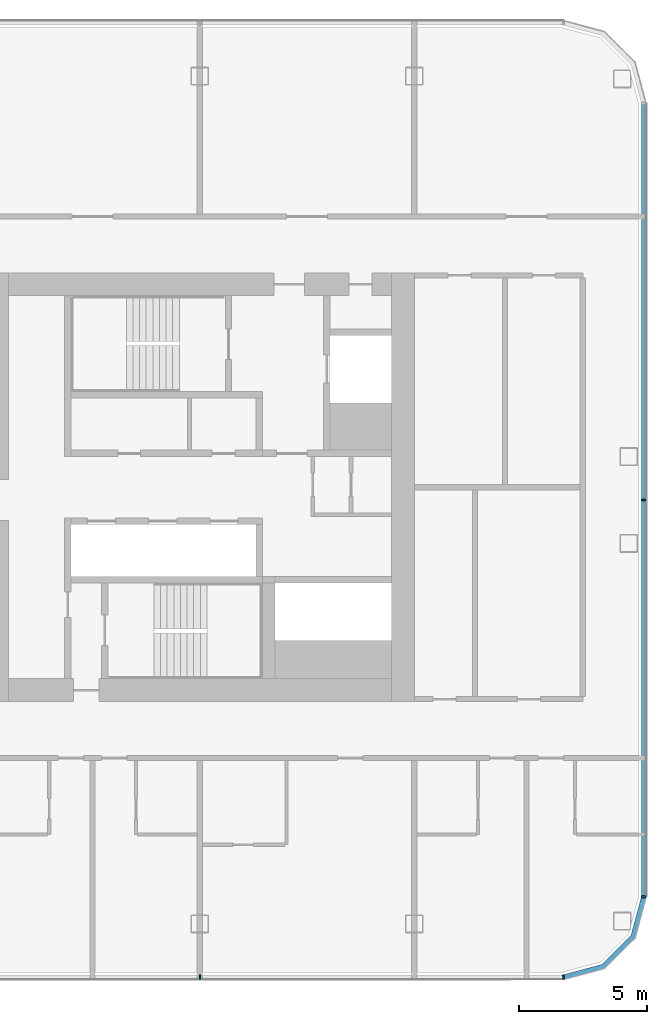
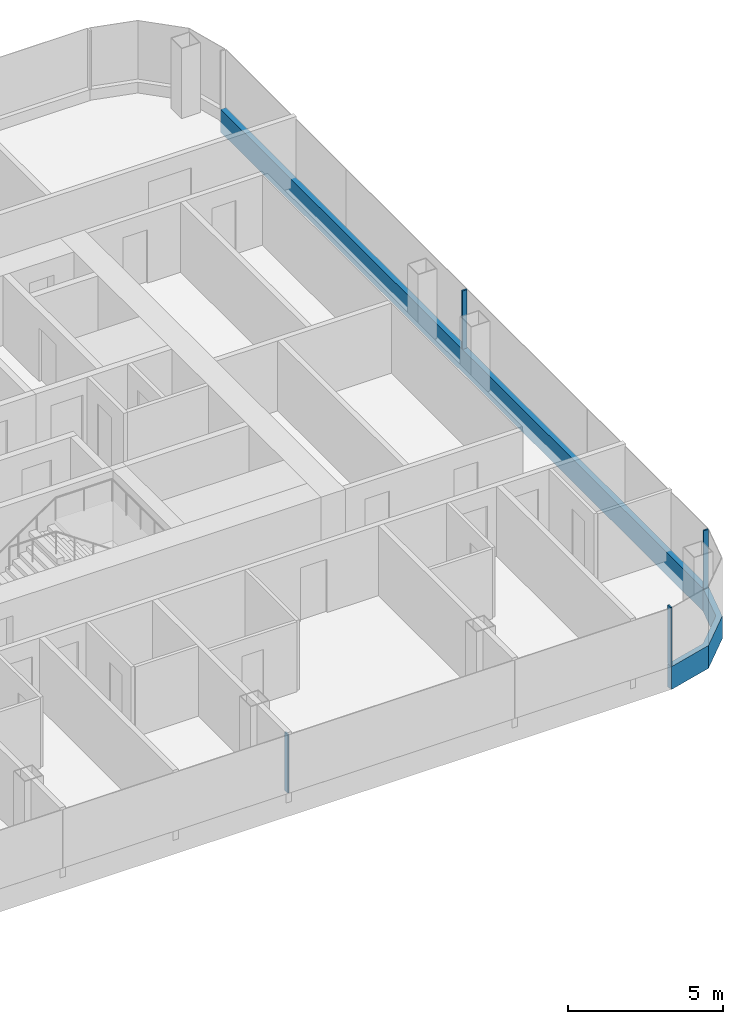
# One storey, part 9 of 26: 6 members, 3 elements without a shape of their own.
"""IFC4 building model written with IfcOpenShell, lengths in metres."""

from ifc_helpers import new_model, si_unit, direction, frame, origin, origin_2d, place, context, subcontext, project, spatial, polyline, rectangle, outline, extrude, material, layer, layer_set, material_profile, profile_set, type_object, element, aggregate, save


model = new_model("IFC4")

# Units and contexts
model_context = context("Model", 3, precision=1e-05, world=origin(), true_north=direction((0.0, 1.0)))
body_context = subcontext(model_context, "Body", "Model", "MODEL_VIEW")
ifc_project = project(units=[si_unit("LENGTHUNIT", "METRE"), si_unit("AREAUNIT", "SQUARE_METRE"), si_unit("VOLUMEUNIT", "CUBIC_METRE"), si_unit("PLANEANGLEUNIT", "RADIAN"), si_unit("MASSUNIT", "GRAM", prefix="KILO")], contexts=[model_context])

# Site, building, storey
site_placement = place(None, origin())
site = spatial("IfcSite", under=ifc_project, at=site_placement, CompositionType="ELEMENT")
building_placement = place(site_placement, origin())
building = spatial("IfcBuilding", under=site, at=building_placement, Name="Hakoniwa Tower and Hamabe Station Hall", CompositionType="ELEMENT")
storey_placement = place(building_placement, frame((0.0, 0.0, 156.60009765625)))
storey = spatial("IfcBuildingStorey", under=building, at=storey_placement, Name="L44", CompositionType="ELEMENT", Elevation=156.60009765625)

# Curtain wall, member
ifc_material_1 = material(Name="Dark low-e laminated glass", Category="glass")
ifc_layer = layer(ifc_material_1, 0.199951171875)
ifc_layer_set = layer_set([ifc_layer], Name="CW-1 UNITISED GUEST")
curtain_wall_type = type_object("IfcCurtainWallType", Name="CW-1 UNITISED GUEST", PredefinedType="NOTDEFINED", material=ifc_layer_set)
curtain_wall_1_placement = place(storey_placement, origin())
curtain_wall_1 = element("IfcCurtainWall", 1, at=curtain_wall_1_placement, inside=storey, type_object=curtain_wall_type, Name="CW-1 curtain wall", PredefinedType="NOTDEFINED")
ifc_material_2 = material(Name="Aluminium 6063-T5 black anodised", Category="aluminium")
ifc_material_profile_1 = material_profile(ifc_material_2, rectangle(XDim=0.199951171875, YDim=0.89990234375, at=origin_2d()), Name="CW SLAB-EDGE BAND 900X200")
ifc_profile_set_1 = profile_set([ifc_material_profile_1], Name="Aluminium 6063-T5 black anodised")
member_type_1 = type_object("IfcMemberType", Name="CW SLAB-EDGE BAND 900X200", PredefinedType="USERDEFINED", material=ifc_profile_set_1)
member_1_placement = place(storey_placement, frame((42.60009765625, -16.03955078125, -0.10009765625), z_axis=(0.0, 1.0, 0.0), x_axis=(-1.0, 0.0, 0.0)))
member_1 = element("IfcMember", 2, at=member_1_placement, type_object=member_type_1, Name="CW-1 transom", ObjectType="TRANSOM", PredefinedType="USERDEFINED", context=body_context, shape_type="SweptSolid", body=[
    extrude(rectangle(XDim=0.199951171875, YDim=0.89990234375, at=origin_2d()), origin(), (0.0, 0.0, 1.0), 31.0791015625),
])

curtain_wall_2_placement = place(storey_placement, origin())
curtain_wall_2 = element("IfcCurtainWall", 3, at=curtain_wall_2_placement, inside=storey, type_object=curtain_wall_type, Name="CW-1 curtain wall", PredefinedType="NOTDEFINED")
member_2_placement = place(storey_placement, frame((0.0, 0.0, -0.550048828125)))
member_2 = element("IfcMember", 4, at=member_2_placement, type_object=member_type_1, Name="CW-1 transom", ObjectType="TRANSOM", PredefinedType="USERDEFINED", context=body_context, shape_type="SweptSolid", body=[
    extrude(outline(polyline([(39.439453125, -19.300048828125), (41.05517578125, -18.866943359375), (42.26708984375, -17.6552734375), (42.699951171875, -16.03955078125), (42.5068359375, -15.98779296875), (42.087646484375, -17.5517578125), (40.95166015625, -18.687744140625), (39.3876953125, -19.10693359375), (39.439453125, -19.300048828125)])), origin(), (0.0, 0.0, 1.0), 0.89990234375),
])
aggregate(curtain_wall_2, [member_2])

# Member
ifc_material_3 = material(Name="Aluminium 6063-T5 black anodised", Category="aluminium")
ifc_material_profile_2 = material_profile(ifc_material_3, rectangle(XDim=0.06005859375, YDim=0.179931640625, at=origin_2d()), Name="CW-1 MULLION 60X180")
ifc_profile_set_2 = profile_set([ifc_material_profile_2], Name="Aluminium 6063-T5 black anodised")
member_type_2 = type_object("IfcMemberType", Name="CW-1 MULLION 60X180", PredefinedType="MULLION", material=ifc_profile_set_2)
member_3_placement = place(storey_placement, frame((42.58203125, -16.03955078125, 0.349853515625), z_axis=(0.0, 0.0, 1.0), x_axis=(0.0, 1.0, 0.0)))
member_3 = element("IfcMember", 5, at=member_3_placement, type_object=member_type_2, Name="CW-1 mullion", PredefinedType="MULLION", context=body_context, shape_type="SweptSolid", body=[
    extrude(rectangle(XDim=0.06005859375, YDim=0.179931640625, at=origin_2d()), origin(), (0.0, 0.0, 1.0), 2.300048828125),
])

member_4_placement = place(storey_placement, frame((42.58203125, -0.5, 0.349853515625), z_axis=(0.0, 0.0, 1.0), x_axis=(0.0, 1.0, 0.0)))
member_4 = element("IfcMember", 6, at=member_4_placement, type_object=member_type_2, Name="CW-1 mullion", PredefinedType="MULLION", context=body_context, shape_type="SweptSolid", body=[
    extrude(rectangle(XDim=0.06005859375, YDim=0.179931640625, at=origin_2d()), origin(), (0.0, 0.0, 1.0), 2.300048828125),
])

aggregate(curtain_wall_1, [member_3, member_4, member_1])

# Curtain wall, members
curtain_wall_3_placement = place(storey_placement, origin())
curtain_wall_3 = element("IfcCurtainWall", 7, at=curtain_wall_3_placement, inside=storey, type_object=curtain_wall_type, Name="CW-1 curtain wall", PredefinedType="NOTDEFINED")
member_5_placement = place(storey_placement, frame((25.199951171875, -19.181884765625, 0.349853515625), z_axis=(0.0, 0.0, 1.0), x_axis=(1.0, 0.0, 0.0)))
member_5 = element("IfcMember", 8, at=member_5_placement, type_object=member_type_2, Name="CW-1 mullion", PredefinedType="MULLION", context=body_context, shape_type="SweptSolid", body=[
    extrude(rectangle(XDim=0.06005859375, YDim=0.179931640625, at=origin_2d()), origin(), (0.0, 0.0, 1.0), 2.300048828125),
])
member_6_placement = place(storey_placement, frame((39.439453125, -19.181884765625, 0.349853515625), z_axis=(0.0, 0.0, 1.0), x_axis=(1.0, 0.0, 0.0)))
member_6 = element("IfcMember", 9, at=member_6_placement, type_object=member_type_2, Name="CW-1 mullion", PredefinedType="MULLION", context=body_context, shape_type="SweptSolid", body=[
    extrude(rectangle(XDim=0.06005859375, YDim=0.179931640625, at=origin_2d()), origin(), (0.0, 0.0, 1.0), 2.300048828125),
])
aggregate(curtain_wall_3, [member_5, member_6])

save(model, "model.ifc")
